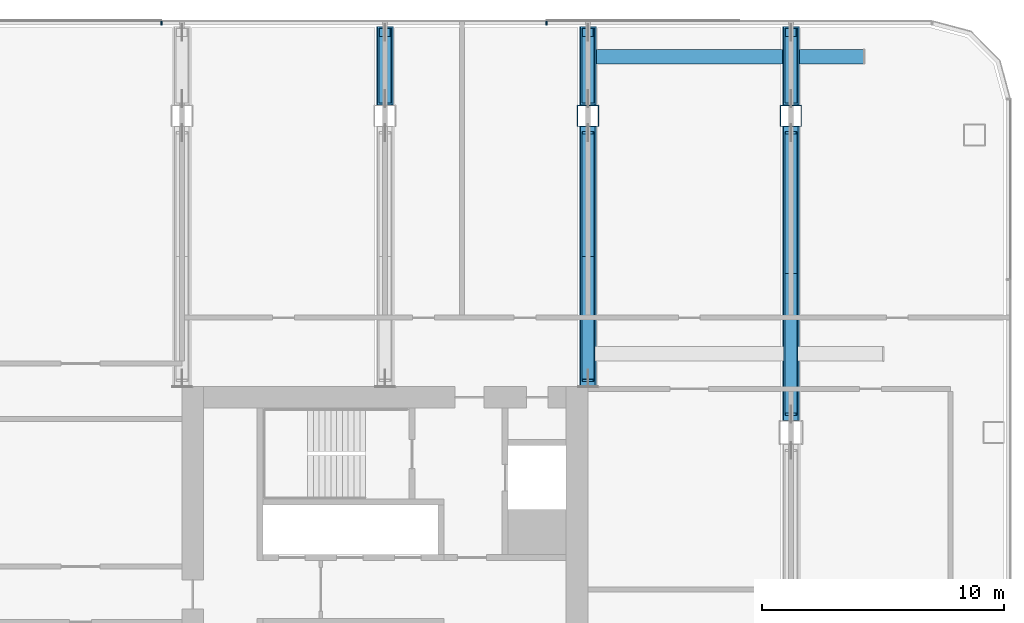
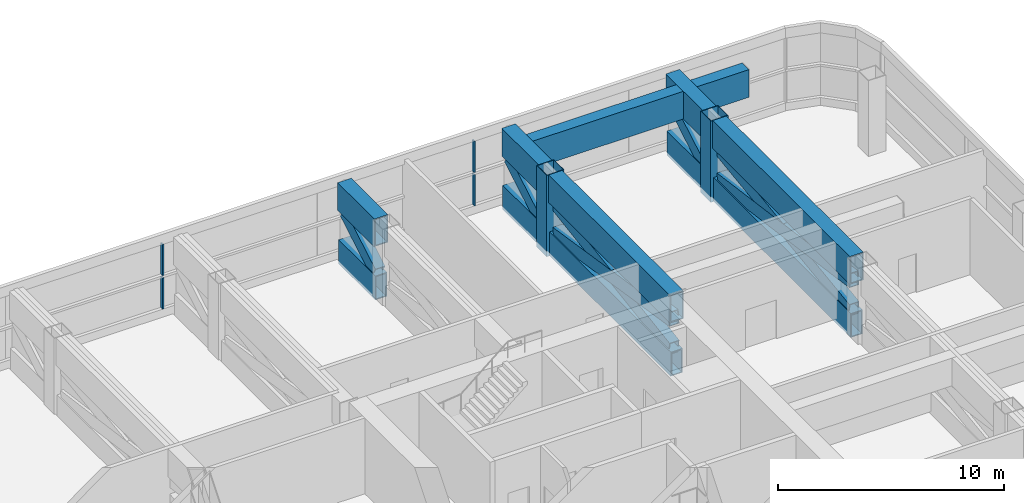
# One storey, part 13 of 30: 23 members, 1 beam, 1 element without a shape of its own.
"""IFC4 building model written with IfcOpenShell, lengths in metres."""

from ifc_helpers import new_model, si_unit, direction, frame, origin, origin_2d, place, context, subcontext, project, spatial, rectangle, hollow_rectangle, extrude, material, layer, layer_set, material_profile, profile_set, type_object, element, aggregate, save


model = new_model("IFC4")

# Units and contexts
model_context = context("Model", 3, precision=1e-05, world=origin(), true_north=direction((0.0, 1.0)))
body_context = subcontext(model_context, "Body", "Model", "MODEL_VIEW")
ifc_project = project(units=[si_unit("LENGTHUNIT", "METRE"), si_unit("AREAUNIT", "SQUARE_METRE"), si_unit("VOLUMEUNIT", "CUBIC_METRE"), si_unit("PLANEANGLEUNIT", "RADIAN"), si_unit("MASSUNIT", "GRAM", prefix="KILO")], contexts=[model_context])

# Site, building, storey
site_placement = place(None, origin())
site = spatial("IfcSite", under=ifc_project, at=site_placement, CompositionType="ELEMENT")
building_placement = place(site_placement, origin())
building = spatial("IfcBuilding", under=site, at=building_placement, Name="Hakoniwa Tower and Hamabe Station Hall", CompositionType="ELEMENT")
storey_placement = place(building_placement, frame((0.0, 0.0, 64.60009765625)))
storey = spatial("IfcBuildingStorey", under=building, at=storey_placement, Name="L18", CompositionType="ELEMENT", Elevation=64.60009765625)

# Curtain wall, members
ifc_material_1 = material(Name="Dark low-e laminated glass", Category="glass")
ifc_layer = layer(ifc_material_1, 0.199951171875)
ifc_layer_set = layer_set([ifc_layer], Name="CW-6 PLANT LOUVRE")
curtain_wall_type = type_object("IfcCurtainWallType", Name="CW-6 PLANT LOUVRE", PredefinedType="NOTDEFINED", material=ifc_layer_set)
curtain_wall_placement = place(storey_placement, origin())
curtain_wall = element("IfcCurtainWall", 1, at=curtain_wall_placement, inside=storey, type_object=curtain_wall_type, Name="CW-6 curtain wall", PredefinedType="NOTDEFINED")
ifc_material_2 = material(Name="Aluminium 6063-T5 black anodised", Category="aluminium")
ifc_material_profile_1 = material_profile(ifc_material_2, rectangle(XDim=0.06005859375, YDim=0.179931640625, at=origin_2d()), Name="CW-1 MULLION 60X180")
ifc_profile_set_1 = profile_set([ifc_material_profile_1], Name="Aluminium 6063-T5 black anodised")
member_type_1 = type_object("IfcMemberType", Name="CW-1 MULLION 60X180", PredefinedType="MULLION", material=ifc_profile_set_1)
member_1_placement = place(storey_placement, frame((31.89306640625, 23.431884765625, 0.349853515625), z_axis=(0.0, 0.0, 1.0), x_axis=(-1.0, 0.0, 0.0)))
member_1 = element("IfcMember", 2, at=member_1_placement, type_object=member_type_1, Name="CW-6 mullion", PredefinedType="MULLION", context=body_context, shape_type="SweptSolid", body=[
    extrude(rectangle(XDim=0.06005859375, YDim=0.179931640625, at=origin_2d()), origin(), (0.0, 0.0, 1.0), 1.68994140625),
])
member_2_placement = place(storey_placement, frame((31.89306640625, 23.431884765625, 2.159912109375), z_axis=(0.0, 0.0, 1.0), x_axis=(-1.0, 0.0, 0.0)))
member_2 = element("IfcMember", 3, at=member_2_placement, type_object=member_type_1, Name="CW-6 mullion", PredefinedType="MULLION", context=body_context, shape_type="SweptSolid", body=[
    extrude(rectangle(XDim=0.06005859375, YDim=0.179931640625, at=origin_2d()), origin(), (0.0, 0.0, 1.0), 1.68994140625),
])
member_3_placement = place(storey_placement, frame((15.946533203125, 23.431884765625, 0.349853515625), z_axis=(0.0, 0.0, 1.0), x_axis=(-1.0, 0.0, 0.0)))
member_3 = element("IfcMember", 4, at=member_3_placement, type_object=member_type_1, Name="CW-6 mullion", PredefinedType="MULLION", context=body_context, shape_type="SweptSolid", body=[
    extrude(rectangle(XDim=0.06005859375, YDim=0.179931640625, at=origin_2d()), origin(), (0.0, 0.0, 1.0), 1.68994140625),
])
member_4_placement = place(storey_placement, frame((15.946533203125, 23.431884765625, 2.159912109375), z_axis=(0.0, 0.0, 1.0), x_axis=(-1.0, 0.0, 0.0)))
member_4 = element("IfcMember", 5, at=member_4_placement, type_object=member_type_1, Name="CW-6 mullion", PredefinedType="MULLION", context=body_context, shape_type="SweptSolid", body=[
    extrude(rectangle(XDim=0.06005859375, YDim=0.179931640625, at=origin_2d()), origin(), (0.0, 0.0, 1.0), 1.68994140625),
])
aggregate(curtain_wall, [member_1, member_2, member_3, member_4])

# Beam
ifc_material_3 = material(Name="Steel SN490C", Category="steel")
ifc_material_profile_2 = material_profile(ifc_material_3, hollow_rectangle(XDim=0.60009765625, YDim=1.5, WallThickness=0.054931640625, at=origin_2d()), Name="BX-1500x600x55")
ifc_profile_set_2 = profile_set([ifc_material_profile_2], Name="Steel SN490C")
beam_type = type_object("IfcBeamType", Name="TRANSFER GIRDER BX-1500x600x55", PredefinedType="BEAM", material=ifc_profile_set_2)
beam_placement = place(storey_placement, frame((33.60009765625, 22.052978515625, 3.349853515625), z_axis=(1.0, 0.0, 0.0), x_axis=(0.0, 1.0, 0.0)))
element("IfcBeam", 6, at=beam_placement, inside=storey, type_object=beam_type, Name="Truss L18-XG8", PredefinedType="BEAM", context=body_context, shape_type="SweptSolid", body=[
    extrude(hollow_rectangle(XDim=0.60009765625, YDim=1.5, WallThickness=0.054931640625, at=origin_2d()), origin(), (0.0, 0.0, 1.0), 11.40283203125),
])

# Members
ifc_material_4 = material(Name="Steel SN490C", Category="steel")
ifc_material_profile_3 = material_profile(ifc_material_4, hollow_rectangle(XDim=0.60009765625, YDim=1.300048828125, WallThickness=0.050048828125, at=origin_2d()), Name="BX-1300x600x50")
ifc_profile_set_3 = profile_set([ifc_material_profile_3], Name="Steel SN490C")
member_type_2 = type_object("IfcMemberType", Name="TRUSS CHORD BX-1300x600x50", PredefinedType="CHORD", material=ifc_profile_set_3)
member_5_placement = place(storey_placement, frame((25.199951171875, 20.050048828125, 0.349853515625), z_axis=(0.0, 1.0, 0.0), x_axis=(-1.0, 0.0, 0.0)))
element("IfcMember", 7, at=member_5_placement, inside=storey, type_object=member_type_2, Name="Truss T1-18-BCH", PredefinedType="CHORD", context=body_context, shape_type="SweptSolid", body=[
    extrude(hollow_rectangle(XDim=0.60009765625, YDim=1.300048828125, WallThickness=0.050048828125, at=origin_2d()), origin(), (0.0, 0.0, 1.0), 3.25),
])
member_6_placement = place(storey_placement, frame((33.60009765625, 8.39990234375, 0.349853515625), z_axis=(0.0, 1.0, 0.0), x_axis=(-1.0, 0.0, 0.0)))
element("IfcMember", 8, at=member_6_placement, inside=storey, type_object=member_type_2, Name="Truss T1-20-BC01", PredefinedType="CHORD", context=body_context, shape_type="SweptSolid", body=[
    extrude(hollow_rectangle(XDim=0.60009765625, YDim=1.300048828125, WallThickness=0.050048828125, at=origin_2d()), origin(), (0.0, 0.0, 1.0), 10.75),
])
member_7_placement = place(storey_placement, frame((33.60009765625, 20.050048828125, 0.349853515625), z_axis=(0.0, 1.0, 0.0), x_axis=(-1.0, 0.0, 0.0)))
element("IfcMember", 9, at=member_7_placement, inside=storey, type_object=member_type_2, Name="Truss T1-20-BCH", PredefinedType="CHORD", context=body_context, shape_type="SweptSolid", body=[
    extrude(hollow_rectangle(XDim=0.60009765625, YDim=1.300048828125, WallThickness=0.050048828125, at=origin_2d()), origin(), (0.0, 0.0, 1.0), 3.25),
])
member_8_placement = place(storey_placement, frame((42.0, 7.0, 0.349853515625), z_axis=(0.0, 1.0, 0.0), x_axis=(-1.0, 0.0, 0.0)))
element("IfcMember", 10, at=member_8_placement, inside=storey, type_object=member_type_2, Name="Truss T1-21-BC03", PredefinedType="CHORD", context=body_context, shape_type="SweptSolid", body=[
    extrude(hollow_rectangle(XDim=0.60009765625, YDim=1.300048828125, WallThickness=0.050048828125, at=origin_2d()), origin(), (0.0, 0.0, 1.0), 12.14990234375),
])
member_9_placement = place(storey_placement, frame((42.0, 20.050048828125, 0.349853515625), z_axis=(0.0, 1.0, 0.0), x_axis=(-1.0, 0.0, 0.0)))
element("IfcMember", 11, at=member_9_placement, inside=storey, type_object=member_type_2, Name="Truss T1-21-BCH", PredefinedType="CHORD", context=body_context, shape_type="SweptSolid", body=[
    extrude(hollow_rectangle(XDim=0.60009765625, YDim=1.300048828125, WallThickness=0.050048828125, at=origin_2d()), origin(), (0.0, 0.0, 1.0), 3.25),
])
ifc_material_5 = material(Name="Steel SN490C", Category="steel")
ifc_material_profile_4 = material_profile(ifc_material_5, hollow_rectangle(XDim=0.699951171875, YDim=1.5, WallThickness=0.054931640625, at=origin_2d()), Name="BX-1500x700x55")
ifc_profile_set_4 = profile_set([ifc_material_profile_4], Name="Steel SN490C")
member_type_3 = type_object("IfcMemberType", Name="TRUSS CHORD BX-1500x700x55", PredefinedType="CHORD", material=ifc_profile_set_4)
member_10_placement = place(storey_placement, frame((25.199951171875, 20.050048828125, 3.349853515625), z_axis=(0.0, 1.0, 0.0), x_axis=(-1.0, 0.0, 0.0)))
element("IfcMember", 12, at=member_10_placement, inside=storey, type_object=member_type_3, Name="Truss T1-18-TCH", PredefinedType="CHORD", context=body_context, shape_type="SweptSolid", body=[
    extrude(hollow_rectangle(XDim=0.699951171875, YDim=1.5, WallThickness=0.054931640625, at=origin_2d()), origin(), (0.0, 0.0, 1.0), 3.25),
])
member_11_placement = place(storey_placement, frame((33.60009765625, 8.39990234375, 3.349853515625), z_axis=(0.0, 1.0, 0.0), x_axis=(-1.0, 0.0, 0.0)))
element("IfcMember", 13, at=member_11_placement, inside=storey, type_object=member_type_3, Name="Truss T1-20-TC01", PredefinedType="CHORD", context=body_context, shape_type="SweptSolid", body=[
    extrude(hollow_rectangle(XDim=0.699951171875, YDim=1.5, WallThickness=0.054931640625, at=origin_2d()), origin(), (0.0, 0.0, 1.0), 10.75),
])
member_12_placement = place(storey_placement, frame((33.60009765625, 20.050048828125, 3.349853515625), z_axis=(0.0, 1.0, 0.0), x_axis=(-1.0, 0.0, 0.0)))
element("IfcMember", 14, at=member_12_placement, inside=storey, type_object=member_type_3, Name="Truss T1-20-TCH", PredefinedType="CHORD", context=body_context, shape_type="SweptSolid", body=[
    extrude(hollow_rectangle(XDim=0.699951171875, YDim=1.5, WallThickness=0.054931640625, at=origin_2d()), origin(), (0.0, 0.0, 1.0), 3.25),
])
member_13_placement = place(storey_placement, frame((42.0, 7.0, 3.349853515625), z_axis=(0.0, 1.0, 0.0), x_axis=(-1.0, 0.0, 0.0)))
element("IfcMember", 15, at=member_13_placement, inside=storey, type_object=member_type_3, Name="Truss T1-21-TC03", PredefinedType="CHORD", context=body_context, shape_type="SweptSolid", body=[
    extrude(hollow_rectangle(XDim=0.699951171875, YDim=1.5, WallThickness=0.054931640625, at=origin_2d()), origin(), (0.0, 0.0, 1.0), 12.14990234375),
])
member_14_placement = place(storey_placement, frame((42.0, 20.050048828125, 3.349853515625), z_axis=(0.0, 1.0, 0.0), x_axis=(-1.0, 0.0, 0.0)))
element("IfcMember", 16, at=member_14_placement, inside=storey, type_object=member_type_3, Name="Truss T1-21-TCH", PredefinedType="CHORD", context=body_context, shape_type="SweptSolid", body=[
    extrude(hollow_rectangle(XDim=0.699951171875, YDim=1.5, WallThickness=0.054931640625, at=origin_2d()), origin(), (0.0, 0.0, 1.0), 3.25),
])
ifc_material_6 = material(Name="Steel SN490C", Category="steel")
ifc_material_profile_5 = material_profile(ifc_material_6, hollow_rectangle(XDim=0.5, YDim=0.699951171875, WallThickness=0.031982421875, at=origin_2d()), Name="BX-700x500x32")
ifc_profile_set_5 = profile_set([ifc_material_profile_5], Name="Steel SN490C")
member_type_4 = type_object("IfcMemberType", Name="TRUSS DIAGONAL BX-700x500x32", PredefinedType="BRACE", material=ifc_profile_set_5)
member_15_placement = place(storey_placement, frame((25.199951171875, 20.300048828125, 1.0), z_axis=(0.0, 0.864368350493, 0.502859179757), x_axis=(-1.0, 0.0, 0.0)))
element("IfcMember", 17, at=member_15_placement, inside=storey, type_object=member_type_4, Name="Truss T1-18-DHa", PredefinedType="BRACE", context=body_context, shape_type="SweptSolid", body=[
    extrude(hollow_rectangle(XDim=0.5, YDim=0.699951171875, WallThickness=0.031982421875, at=origin_2d()), origin(), (0.0, 0.0, 1.0), 3.181396484375),
])
for number, where, z_axis, x_axis, name in (
    (18, (33.60009765625, 8.64990234375, 1.0), (0.0, 0.988037147164, 0.15421606863), (-1.0, 0.0, 0.0), "Truss T1-20-D01a"),
    (19, (33.60009765625, 8.64990234375, 2.599853515625), (0.0, 0.988037147164, -0.15421606863), (-1.0, 0.0, 0.0), "Truss T1-20-D01b"),
):
    element("IfcMember", number, at=place(storey_placement, frame(where, z_axis=z_axis, x_axis=x_axis)), inside=storey, type_object=member_type_4, Name=name, PredefinedType="BRACE", context=body_context, shape_type="SweptSolid", body=[
        extrude(hollow_rectangle(XDim=0.5, YDim=0.699951171875, WallThickness=0.031982421875, at=origin_2d()), origin(), (0.0, 0.0, 1.0), 10.3740234375),
    ])
member_16_placement = place(storey_placement, frame((33.60009765625, 20.300048828125, 1.0), z_axis=(0.0, 0.864368350493, 0.502859179757), x_axis=(-1.0, 0.0, 0.0)))
element("IfcMember", 20, at=member_16_placement, inside=storey, type_object=member_type_4, Name="Truss T1-20-DHa", PredefinedType="BRACE", context=body_context, shape_type="SweptSolid", body=[
    extrude(hollow_rectangle(XDim=0.5, YDim=0.699951171875, WallThickness=0.031982421875, at=origin_2d()), origin(), (0.0, 0.0, 1.0), 3.181396484375),
])
for number, where, z_axis, x_axis, name in (
    (21, (42.0, 7.25, 1.0), (0.0, 0.990701870054, 0.136050743), (-1.0, 0.0, 0.0), "Truss T1-21-D03a"),
    (22, (42.0, 7.25, 2.599853515625), (0.0, 0.990701870054, -0.136050743), (-1.0, 0.0, 0.0), "Truss T1-21-D03b"),
):
    element("IfcMember", number, at=place(storey_placement, frame(where, z_axis=z_axis, x_axis=x_axis)), inside=storey, type_object=member_type_4, Name=name, PredefinedType="BRACE", context=body_context, shape_type="SweptSolid", body=[
        extrude(hollow_rectangle(XDim=0.5, YDim=0.699951171875, WallThickness=0.031982421875, at=origin_2d()), origin(), (0.0, 0.0, 1.0), 11.75927734375),
    ])
member_17_placement = place(storey_placement, frame((42.0, 20.300048828125, 1.0), z_axis=(0.0, 0.864368350493, 0.502859179757), x_axis=(-1.0, 0.0, 0.0)))
element("IfcMember", 23, at=member_17_placement, inside=storey, type_object=member_type_4, Name="Truss T1-21-DHa", PredefinedType="BRACE", context=body_context, shape_type="SweptSolid", body=[
    extrude(hollow_rectangle(XDim=0.5, YDim=0.699951171875, WallThickness=0.031982421875, at=origin_2d()), origin(), (0.0, 0.0, 1.0), 3.181396484375),
])
ifc_material_7 = material(Name="Steel SN490C", Category="steel")
ifc_material_profile_6 = material_profile(ifc_material_7, hollow_rectangle(XDim=0.89990234375, YDim=0.89990234375, WallThickness=0.035888671875, at=origin_2d()), Name="BX-900x900x36")
ifc_profile_set_6 = profile_set([ifc_material_profile_6], Name="Steel SN490C")
member_type_5 = type_object("IfcMemberType", Name="TRUSS POST BX-900x900x36", PredefinedType="POST", material=ifc_profile_set_6)
for number, where, z_axis, x_axis, name in (
    (24, (33.60009765625, 19.60009765625, -0.300048828125), (0.0, 0.0, 1.0), (1.0, 0.0, 0.0), "Truss T1-20-P02"),
    (25, (42.0, 19.60009765625, -0.300048828125), (0.0, 0.0, 1.0), (1.0, 0.0, 0.0), "Truss T1-21-P04"),
):
    element("IfcMember", number, at=place(storey_placement, frame(where, z_axis=z_axis, x_axis=x_axis)), inside=storey, type_object=member_type_5, Name=name, PredefinedType="POST", context=body_context, shape_type="SweptSolid", body=[
        extrude(hollow_rectangle(XDim=0.89990234375, YDim=0.89990234375, WallThickness=0.035888671875, at=origin_2d()), origin(), (0.0, 0.0, 1.0), 4.39990234375),
    ])

save(model, "model.ifc")
